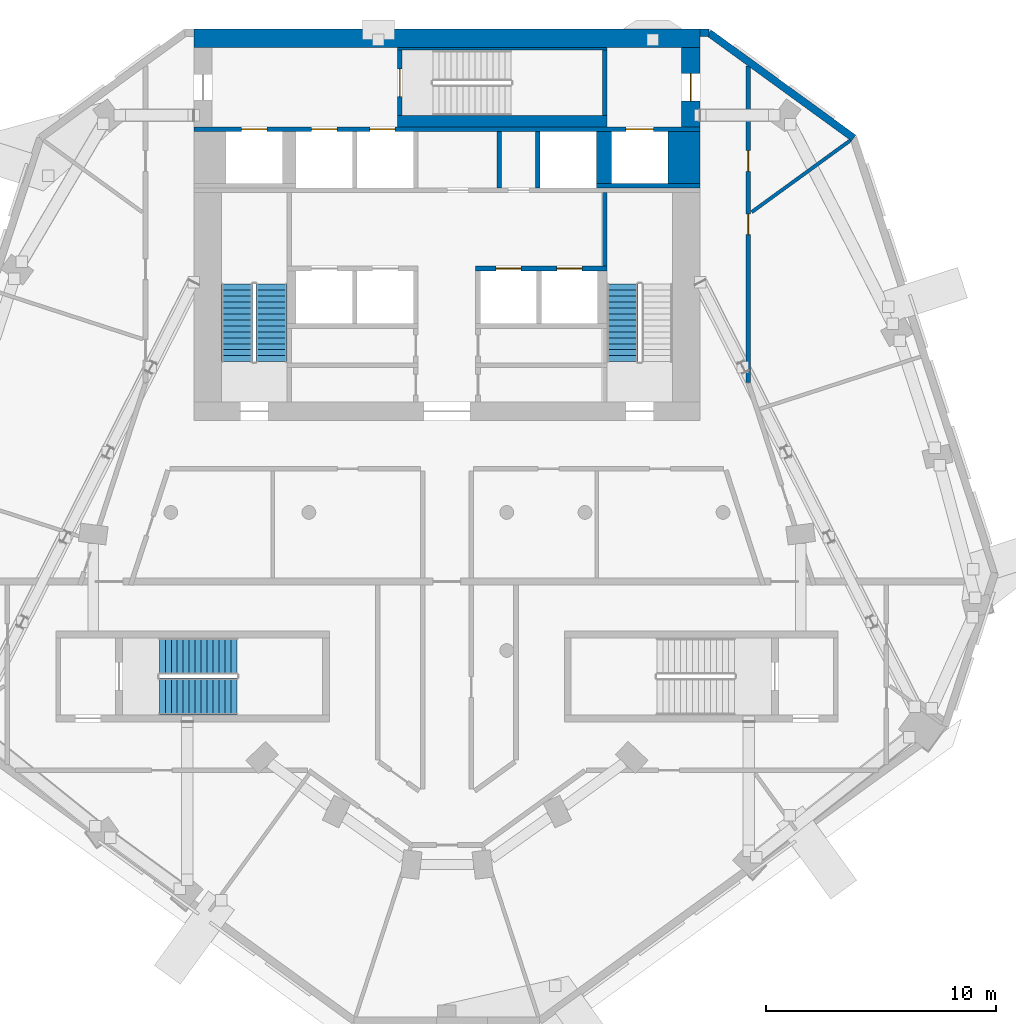
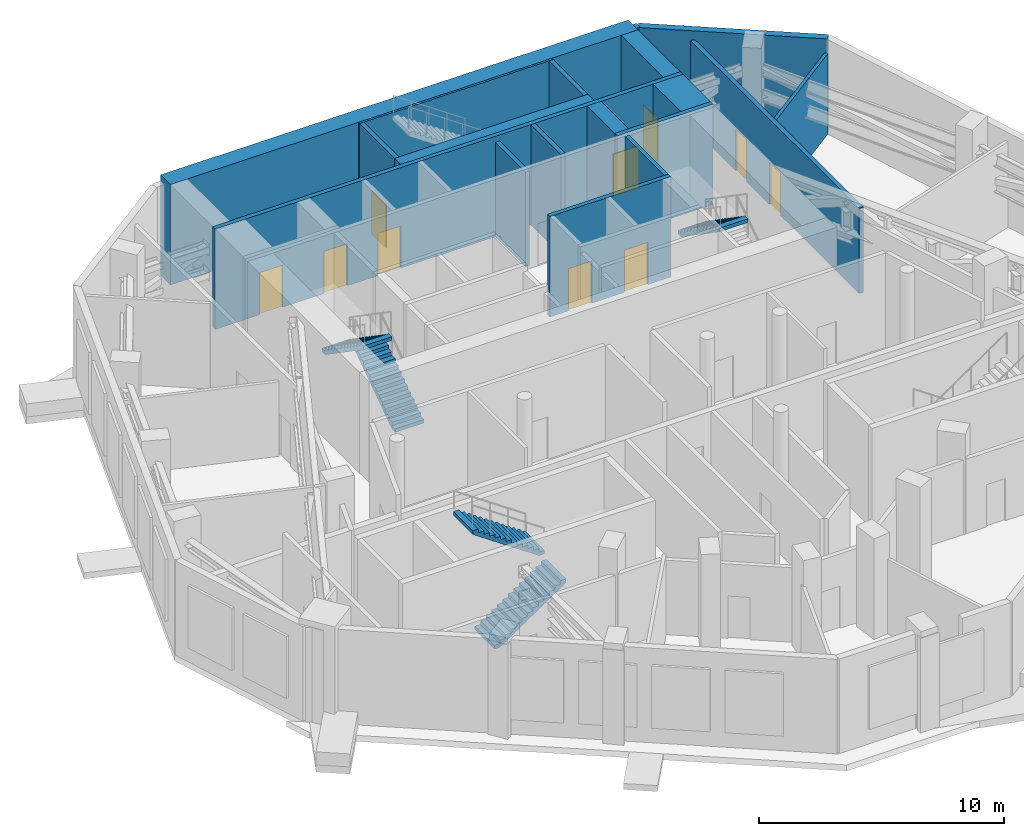
# One storey, part 10 of 16: 18 walls, 10 doors, 5 stair flights, 10 openings, 3 elements without a shape of their own.
"""IFC4 building model written with IfcOpenShell, lengths in metres."""

from ifc_helpers import new_model, si_unit, direction, frame, frame_2d, origin, place, context, subcontext, project, spatial, polyline, rectangle, outline, extrude, material, layer, layer_set, type_object, element, fill, aggregate, save


model = new_model("IFC4")

# Units and contexts
model_context = context("Model", 3, precision=1e-05, world=origin(), true_north=direction((0.0, 1.0)))
body_context = subcontext(model_context, "Body", "Model", "MODEL_VIEW")
ifc_project = project(units=[si_unit("LENGTHUNIT", "METRE"), si_unit("AREAUNIT", "SQUARE_METRE"), si_unit("VOLUMEUNIT", "CUBIC_METRE"), si_unit("PLANEANGLEUNIT", "RADIAN"), si_unit("MASSUNIT", "GRAM", prefix="KILO")], contexts=[model_context])

# Site, building, storey
site_placement = place(None, origin())
site = spatial("IfcSite", under=ifc_project, at=site_placement, CompositionType="ELEMENT")
building_placement = place(site_placement, origin())
building = spatial("IfcBuilding", under=site, at=building_placement, Name="White Candle Pilgrim Tower", CompositionType="ELEMENT")
storey_placement = place(building_placement, frame((0.0, 0.0, 243.300048828125)))
storey = spatial("IfcBuildingStorey", under=building, at=storey_placement, Name="L57", CompositionType="ELEMENT", Elevation=243.300048828125)

# Walls
ifc_material_1 = material(Name="Concrete C50/60", Category="concrete")
ifc_layer_1 = layer(ifc_material_1, 1.39990234375)
ifc_layer_set_1 = layer_set([ifc_layer_1], Name="Core wall 1400 mm Concrete C50/60")
wall_type_1 = type_object("IfcWallType", Name="Core wall 1400 mm Concrete C50/60", PredefinedType="SHEAR", material=ifc_layer_set_1)
wall_1_placement = place(storey_placement, frame((80.300048828125, 81.300048828125, 0.0), z_axis=(0.0, 0.0, 1.0), x_axis=(0.0, 1.0, 0.0)))
element("IfcWall", 1, at=wall_1_placement, inside=storey, type_object=wall_type_1, Name="WL-L57-C46", PredefinedType="SHEAR", context=body_context, shape_type="SweptSolid", body=[
    extrude(rectangle(XDim=2.25, YDim=1.39990234375, at=frame_2d((1.125, 0.0))), origin(), (0.0, 0.0, 1.0), 5.0),
])
ifc_layer_2 = layer(ifc_material_1, 0.199951171875)
ifc_layer_set_2 = layer_set([ifc_layer_2], Name="Core wall 200 mm Concrete C50/60")
wall_type_2 = type_object("IfcWallType", Name="Core wall 200 mm Concrete C50/60", PredefinedType="SHEAR", material=ifc_layer_set_2)
wall_2_placement = place(storey_placement, frame((76.5, 81.199951171875, 0.0), z_axis=(0.0, 0.0, 1.0), x_axis=(1.0, 0.0, 0.0)))
element("IfcWall", 2, at=wall_2_placement, inside=storey, type_object=wall_type_2, Name="WL-L57-C42", PredefinedType="SHEAR", context=body_context, shape_type="SweptSolid", body=[
    extrude(rectangle(XDim=4.5, YDim=0.199951171875, at=frame_2d((2.25, 0.0))), origin(), (0.0, 0.0, 1.0), 5.0),
])

# Wall, openings, doors
wall_3_placement = place(storey_placement, frame((59.0, 83.64990234375, 0.0), z_axis=(0.0, 0.0, 1.0), x_axis=(1.0, 0.0, 0.0)))
wall_3 = element("IfcWall", 3, at=wall_3_placement, inside=storey, type_object=wall_type_2, Name="WL-L57-C47", PredefinedType="SHEAR", context=body_context, shape_type="SweptSolid", body=[
    extrude(rectangle(XDim=22.0, YDim=0.199951171875, at=frame_2d((11.0, 0.0))), origin(), (0.0, 0.0, 1.0), 5.0),
])
opening_1_placement = place(wall_3_placement, frame((5.125, 0.0, 0.0)))
opening_1 = element("IfcOpeningElement", 4, at=opening_1_placement, cuts=wall_3, Name="Opening L57-019", PredefinedType="OPENING", context=body_context, shape_type="SweptSolid", body=[
    extrude(rectangle(XDim=1.10009765625, YDim=2.10009765625, at=frame_2d((0.550048828125, 1.050048828125))), frame((0.0, 0.10986328125, 0.0), z_axis=(0.0, -1.0, 0.0), x_axis=(1.0, 0.0, 0.0)), (0.0, 0.0, 1.0), 0.219970703125),
])
opening_2_placement = place(wall_3_placement, frame((7.64990234375, 0.0, 0.0)))
opening_2 = element("IfcOpeningElement", 5, at=opening_2_placement, cuts=wall_3, Name="Opening L57-020", PredefinedType="OPENING", context=body_context, shape_type="SweptSolid", body=[
    extrude(rectangle(XDim=1.10009765625, YDim=2.10009765625, at=frame_2d((0.550048828125, 1.050048828125))), frame((0.0, 0.10986328125, 0.0), z_axis=(0.0, -1.0, 0.0), x_axis=(1.0, 0.0, 0.0)), (0.0, 0.0, 1.0), 0.219970703125),
])
opening_3_placement = place(wall_3_placement, frame((18.77490234375, 0.0, 0.0)))
opening_3 = element("IfcOpeningElement", 6, at=opening_3_placement, cuts=wall_3, Name="Opening L57-021", PredefinedType="OPENING", context=body_context, shape_type="SweptSolid", body=[
    extrude(rectangle(XDim=1.199951171875, YDim=2.10009765625, at=frame_2d((0.60009765625, 1.050048828125))), frame((0.0, 0.10986328125, 0.0), z_axis=(0.0, -1.0, 0.0), x_axis=(1.0, 0.0, 0.0)), (0.0, 0.0, 1.0), 0.219970703125),
])
opening_4_placement = place(wall_3_placement, frame((2.074951171875, 0.0, 0.0)))
opening_4 = element("IfcOpeningElement", 7, at=opening_4_placement, cuts=wall_3, Name="Opening L57-022", PredefinedType="OPENING", context=body_context, shape_type="SweptSolid", body=[
    extrude(rectangle(XDim=1.10009765625, YDim=2.10009765625, at=frame_2d((0.550048828125, 1.050048828125))), frame((0.0, 0.10986328125, 0.0), z_axis=(0.0, -1.0, 0.0), x_axis=(1.0, 0.0, 0.0)), (0.0, 0.0, 1.0), 0.219970703125),
])
ifc_material_2 = material(Name="Stainless steel", Category="steel")
door_type_1 = type_object("IfcDoorType", Name="Lift landing door 1100 x 2100 EI 60", OperationType="DOUBLE_DOOR_SLIDING", PredefinedType="DOOR", material=ifc_material_2)
door_1_placement = place(opening_1_placement, origin())
door_1 = element("IfcDoor", 8, at=door_1_placement, inside=storey, type_object=door_type_1, Name="Door L57-019", OperationType="DOUBLE_DOOR_SLIDING", OverallHeight=2.10009765625, OverallWidth=1.10009765625, PredefinedType="DOOR", context=body_context, shape_type="SweptSolid", body=[
    extrude(rectangle(XDim=1.10009765625, YDim=2.10009765625, at=frame_2d((0.550048828125, 1.050048828125))), frame((0.0, 0.02490234375, 0.0), z_axis=(0.0, -1.0, 0.0), x_axis=(1.0, 0.0, 0.0)), (0.0, 0.0, 1.0), 0.050048828125),
])
fill(opening_1, door_1)
door_2_placement = place(opening_2_placement, origin())
door_2 = element("IfcDoor", 9, at=door_2_placement, inside=storey, type_object=door_type_1, Name="Door L57-020", OperationType="DOUBLE_DOOR_SLIDING", OverallHeight=2.10009765625, OverallWidth=1.10009765625, PredefinedType="DOOR", context=body_context, shape_type="SweptSolid", body=[
    extrude(rectangle(XDim=1.10009765625, YDim=2.10009765625, at=frame_2d((0.550048828125, 1.050048828125))), frame((0.0, 0.02490234375, 0.0), z_axis=(0.0, -1.0, 0.0), x_axis=(1.0, 0.0, 0.0)), (0.0, 0.0, 1.0), 0.050048828125),
])
fill(opening_2, door_2)
door_3_placement = place(opening_4_placement, origin())
door_3 = element("IfcDoor", 10, at=door_3_placement, inside=storey, type_object=door_type_1, Name="Door L57-022", OperationType="DOUBLE_DOOR_SLIDING", OverallHeight=2.10009765625, OverallWidth=1.10009765625, PredefinedType="DOOR", context=body_context, shape_type="SweptSolid", body=[
    extrude(rectangle(XDim=1.10009765625, YDim=2.10009765625, at=frame_2d((0.550048828125, 1.050048828125))), frame((0.0, 0.02490234375, 0.0), z_axis=(0.0, -1.0, 0.0), x_axis=(1.0, 0.0, 0.0)), (0.0, 0.0, 1.0), 0.050048828125),
])
fill(opening_4, door_3)
door_type_2 = type_object("IfcDoorType", Name="Lift landing door 1200 x 2100 E 60", OperationType="DOUBLE_DOOR_SLIDING", PredefinedType="DOOR", material=ifc_material_2)
door_4_placement = place(opening_3_placement, origin())
door_4 = element("IfcDoor", 11, at=door_4_placement, inside=storey, type_object=door_type_2, Name="Door L57-021", OperationType="DOUBLE_DOOR_SLIDING", OverallHeight=2.10009765625, OverallWidth=1.199951171875, PredefinedType="DOOR", context=body_context, shape_type="SweptSolid", body=[
    extrude(rectangle(XDim=1.199951171875, YDim=2.10009765625, at=frame_2d((0.60009765625, 1.050048828125))), frame((0.0, 0.02490234375, 0.0), z_axis=(0.0, -1.0, 0.0), x_axis=(1.0, 0.0, 0.0)), (0.0, 0.0, 1.0), 0.050048828125),
])
fill(opening_3, door_4)

# Wall, opening, door
ifc_layer_3 = layer(ifc_material_1, 0.800048828125)
ifc_layer_set_3 = layer_set([ifc_layer_3], Name="Core wall 800 mm Concrete C50/60")
wall_type_3 = type_object("IfcWallType", Name="Core wall 800 mm Concrete C50/60", PredefinedType="SHEAR", material=ifc_layer_set_3)
wall_4_placement = place(storey_placement, frame((80.60009765625, 83.75, 0.0), z_axis=(0.0, 0.0, 1.0), x_axis=(0.0, 1.0, 0.0)))
wall_4 = element("IfcWall", 12, at=wall_4_placement, inside=storey, type_object=wall_type_3, Name="WL-L57-C50", PredefinedType="SHEAR", context=body_context, shape_type="SweptSolid", body=[
    extrude(rectangle(XDim=3.449951171875, YDim=0.800048828125, at=frame_2d((1.72509765625, 0.0))), origin(), (0.0, 0.0, 1.0), 5.0),
])
opening_5_placement = place(wall_4_placement, frame((1.125, 0.0, 0.0)))
opening_5 = element("IfcOpeningElement", 13, at=opening_5_placement, cuts=wall_4, Name="Opening L57-010", PredefinedType="OPENING", context=body_context, shape_type="SweptSolid", body=[
    extrude(rectangle(XDim=1.199951171875, YDim=2.10009765625, at=frame_2d((0.60009765625, 1.050048828125))), frame((0.0, 0.409912109375, 0.0), z_axis=(0.0, -1.0, 0.0), x_axis=(1.0, 0.0, 0.0)), (0.0, 0.0, 1.0), 0.820068359375),
])
ifc_material_3 = material(Name="Steel door leaf", Category="steel")
door_type_3 = type_object("IfcDoorType", Name="Fire door 1200 x 2100 EI 30", OperationType="NOTDEFINED", PredefinedType="DOOR", material=ifc_material_3)
door_5_placement = place(opening_5_placement, origin())
door_5 = element("IfcDoor", 14, at=door_5_placement, inside=storey, type_object=door_type_3, Name="Door L57-010", OperationType="SINGLE_SWING_RIGHT", OverallHeight=2.10009765625, OverallWidth=1.199951171875, PredefinedType="DOOR", context=body_context, shape_type="SweptSolid", body=[
    extrude(rectangle(XDim=1.199951171875, YDim=2.10009765625, at=frame_2d((0.60009765625, 1.050048828125))), frame((0.0, 0.02490234375, 0.0), z_axis=(0.0, -1.0, 0.0), x_axis=(1.0, 0.0, 0.0)), (0.0, 0.0, 1.0), 0.050048828125),
])
fill(opening_5, door_5)

# Wall
wall_5_placement = place(storey_placement, frame((59.0, 87.60009765625, 0.0), z_axis=(0.0, 0.0, 1.0), x_axis=(1.0, 0.0, 0.0)))
element("IfcWall", 15, at=wall_5_placement, inside=storey, type_object=wall_type_3, Name="WL-L57-C54", PredefinedType="SHEAR", context=body_context, shape_type="SweptSolid", body=[
    extrude(rectangle(XDim=22.0, YDim=0.800048828125, at=frame_2d((11.0, 0.0))), origin(), (0.0, 0.0, 1.0), 5.0),
])

# Wall, openings, doors
ifc_material_4 = material(Name="Gypsum board on steel studs", Category="steel")
ifc_layer_4 = layer(ifc_material_4, 0.199951171875)
ifc_layer_set_4 = layer_set([ifc_layer_4], Name="Corridor wall 200 mm EI 45")
wall_type_4 = type_object("IfcWallType", Name="Corridor wall 200 mm EI 45", PredefinedType="PARTITIONING", material=ifc_layer_set_4)
wall_6_placement = place(storey_placement, frame((83.10009765625, 86.396240234375, 0.0), z_axis=(0.0, 0.0, 1.0), x_axis=(0.0, -1.0, 0.0)))
wall_6 = element("IfcWall", 16, at=wall_6_placement, inside=storey, type_object=wall_type_4, Name="WL-L57-P004", PredefinedType="PARTITIONING", context=body_context, shape_type="SweptSolid", body=[
    extrude(rectangle(XDim=13.75537109375, YDim=0.199951171875, at=frame_2d((6.877685546875, 0.0))), origin(), (0.0, 0.0, 1.0), 4.25),
])
opening_6_placement = place(wall_6_placement, frame((3.676513671875, 0.0, 0.0)))
opening_6 = element("IfcOpeningElement", 17, at=opening_6_placement, cuts=wall_6, Name="Opening L57-115", PredefinedType="OPENING", context=body_context, shape_type="SweptSolid", body=[
    extrude(rectangle(XDim=0.89990234375, YDim=2.10009765625, at=frame_2d((0.449951171875, 1.050048828125))), frame((0.0, 0.10986328125, 0.0), z_axis=(0.0, -1.0, 0.0), x_axis=(1.0, 0.0, 0.0)), (0.0, 0.0, 1.0), 0.219970703125),
])
opening_7_placement = place(wall_6_placement, frame((6.427490234375, 0.0, 0.0)))
opening_7 = element("IfcOpeningElement", 18, at=opening_7_placement, cuts=wall_6, Name="Opening L57-116", PredefinedType="OPENING", context=body_context, shape_type="SweptSolid", body=[
    extrude(rectangle(XDim=0.89990234375, YDim=2.10009765625, at=frame_2d((0.449951171875, 1.050048828125))), frame((0.0, 0.10986328125, 0.0), z_axis=(0.0, -1.0, 0.0), x_axis=(1.0, 0.0, 0.0)), (0.0, 0.0, 1.0), 0.219970703125),
])
door_type_4 = type_object("IfcDoorType", Name="Fire door 900 x 2100 EI 30", OperationType="NOTDEFINED", PredefinedType="DOOR", material=ifc_material_3)
door_6_placement = place(opening_6_placement, origin())
door_6 = element("IfcDoor", 19, at=door_6_placement, inside=storey, type_object=door_type_4, Name="Door L57-115", OperationType="SINGLE_SWING_LEFT", OverallHeight=2.10009765625, OverallWidth=0.89990234375, PredefinedType="DOOR", context=body_context, shape_type="SweptSolid", body=[
    extrude(rectangle(XDim=0.89990234375, YDim=2.10009765625, at=frame_2d((0.449951171875, 1.050048828125))), frame((0.0, 0.02490234375, 0.0), z_axis=(0.0, -1.0, 0.0), x_axis=(1.0, 0.0, 0.0)), (0.0, 0.0, 1.0), 0.050048828125),
])
fill(opening_6, door_6)
door_7_placement = place(opening_7_placement, origin())
door_7 = element("IfcDoor", 20, at=door_7_placement, inside=storey, type_object=door_type_4, Name="Door L57-116", OperationType="SINGLE_SWING_RIGHT", OverallHeight=2.10009765625, OverallWidth=0.89990234375, PredefinedType="DOOR", context=body_context, shape_type="SweptSolid", body=[
    extrude(rectangle(XDim=0.89990234375, YDim=2.10009765625, at=frame_2d((0.449951171875, 1.050048828125))), frame((0.0, 0.02490234375, 0.0), z_axis=(0.0, -1.0, 0.0), x_axis=(1.0, 0.0, 0.0)), (0.0, 0.0, 1.0), 0.050048828125),
])
fill(opening_7, door_7)

# Walls
ifc_material_5 = material(Name="Precast concrete C40/50", Category="concrete")
ifc_layer_5 = layer(ifc_material_5, 0.320068359375)
ifc_layer_set_5 = layer_set([ifc_layer_5], Name="Facade wall EW2 precast concrete C40/50 plant wall behind louvres")
wall_type_5 = type_object("IfcWallType", Name="Facade wall EW2 precast concrete C40/50 plant wall behind louvres", PredefinedType="SOLIDWALL", material=ifc_layer_set_5)
wall_7_placement = place(storey_placement, frame((87.67431640625, 83.270751953125, 0.0), z_axis=(0.0, 0.0, 1.0), x_axis=(-0.809023894763, 0.587775754605, 0.0)))
element("IfcWall", 21, at=wall_7_placement, inside=storey, type_object=wall_type_5, Name="Facade wall L57 NE chamfer", PredefinedType="SOLIDWALL", context=body_context, shape_type="SweptSolid", body=[
    extrude(rectangle(XDim=7.77392578125, YDim=0.320068359375, at=frame_2d((3.886962890625, 0.0))), origin(), (0.0, 0.0, 1.0), 4.699951171875),
])
wall_8_placement = place(storey_placement, frame((81.385009765625, 87.840087890625, 0.0), z_axis=(0.0, 0.0, 1.0), x_axis=(-1.0, 0.0, 0.0)))
element("IfcWall", 22, at=wall_8_placement, inside=storey, type_object=wall_type_5, Name="Facade wall L57 N", PredefinedType="SOLIDWALL", context=body_context, shape_type="SweptSolid", body=[
    extrude(rectangle(XDim=0.385009765625, YDim=0.320068359375, at=frame_2d((0.1923828125, 0.0))), origin(), (0.0, 0.0, 1.0), 4.699951171875),
])
ifc_layer_6 = layer(ifc_material_4, 0.199951171875)
ifc_layer_set_6 = layer_set([ifc_layer_6], Name="Lobby wall 200 mm EI 60")
wall_type_6 = type_object("IfcWallType", Name="Lobby wall 200 mm EI 60", PredefinedType="PARTITIONING", material=ifc_layer_set_6)
wall_9_placement = place(storey_placement, frame((72.280029296875, 81.10009765625, 0.0), z_axis=(0.0, 0.0, 1.0), x_axis=(0.0, 1.0, 0.0)))
element("IfcWall", 23, at=wall_9_placement, inside=storey, type_object=wall_type_6, Name="WL-L57-C40", PredefinedType="PARTITIONING", context=body_context, shape_type="SweptSolid", body=[
    extrude(rectangle(XDim=2.449951171875, YDim=0.199951171875, at=frame_2d((1.22509765625, 0.0))), origin(), (0.0, 0.0, 1.0), 4.699951171875),
])
ifc_layer_7 = layer(ifc_material_4, 0.14990234375)
ifc_layer_set_7 = layer_set([ifc_layer_7], Name="Partition 150 mm EI 60")
wall_type_7 = type_object("IfcWallType", Name="Partition 150 mm EI 60", PredefinedType="PARTITIONING", material=ifc_layer_set_7)
wall_10_placement = place(storey_placement, frame((87.5380859375, 83.171875, 0.0), z_axis=(0.0, 0.0, 1.0), x_axis=(-0.80900452613, -0.587802412976, 0.0)))
element("IfcWall", 24, at=wall_10_placement, inside=storey, type_object=wall_type_7, Name="WL-L57-P030", PredefinedType="PARTITIONING", context=body_context, shape_type="SweptSolid", body=[
    extrude(rectangle(XDim=5.3076171875, YDim=0.14990234375, at=frame_2d((2.65380859375, 0.0))), origin(), (0.0, 0.0, 1.0), 4.0),
])
ifc_layer_8 = layer(ifc_material_1, 0.199951171875)
ifc_layer_set_8 = layer_set([ifc_layer_8], Name="Shaft wall 200 mm Concrete C50/60")
wall_type_8 = type_object("IfcWallType", Name="Shaft wall 200 mm Concrete C50/60", PredefinedType="SHEAR", material=ifc_layer_set_8)
wall_11_placement = place(storey_placement, frame((73.949951171875, 81.10009765625, 0.0), z_axis=(0.0, 0.0, 1.0), x_axis=(0.0, 1.0, 0.0)))
element("IfcWall", 25, at=wall_11_placement, inside=storey, type_object=wall_type_8, Name="WL-L57-C41", PredefinedType="SHEAR", context=body_context, shape_type="SweptSolid", body=[
    extrude(rectangle(XDim=2.449951171875, YDim=0.199951171875, at=frame_2d((1.22509765625, 0.0))), origin(), (0.0, 0.0, 1.0), 5.0),
])
ifc_layer_9 = layer(ifc_material_1, 0.64990234375)
ifc_layer_set_9 = layer_set([ifc_layer_9], Name="Shaft wall 650 mm Concrete C50/60")
wall_type_9 = type_object("IfcWallType", Name="Shaft wall 650 mm Concrete C50/60", PredefinedType="SHEAR", material=ifc_layer_set_9)
wall_12_placement = place(storey_placement, frame((76.824951171875, 81.300048828125, 0.0), z_axis=(0.0, 0.0, 1.0), x_axis=(0.0, 1.0, 0.0)))
element("IfcWall", 26, at=wall_12_placement, inside=storey, type_object=wall_type_9, Name="WL-L57-C45", PredefinedType="SHEAR", context=body_context, shape_type="SweptSolid", body=[
    extrude(rectangle(XDim=2.25, YDim=0.64990234375, at=frame_2d((1.125, 0.0))), origin(), (0.0, 0.0, 1.0), 5.0),
])
ifc_layer_10 = layer(ifc_material_1, 0.10009765625)
ifc_layer_set_10 = layer_set([ifc_layer_10], Name="Stair shaft wall 100 mm Concrete C50/60")
wall_type_10 = type_object("IfcWallType", Name="Stair shaft wall 100 mm Concrete C50/60", PredefinedType="SHEAR", material=ifc_layer_set_10)
wall_13_placement = place(storey_placement, frame((67.85009765625, 87.14990234375, 0.0), z_axis=(0.0, 0.0, 1.0), x_axis=(1.0, 0.0, 0.0)))
element("IfcWall", 27, at=wall_13_placement, inside=storey, type_object=wall_type_10, Name="WL-L57-C53", PredefinedType="SHEAR", context=body_context, shape_type="SweptSolid", body=[
    extrude(rectangle(XDim=9.099853515625, YDim=0.10009765625, at=frame_2d((4.5498046875, 0.0))), origin(), (0.0, 0.0, 1.0), 5.0),
])

# Wall, openings, doors
ifc_layer_11 = layer(ifc_material_1, 0.199951171875)
ifc_layer_set_11 = layer_set([ifc_layer_11], Name="Stair shaft wall 200 mm Concrete C50/60")
wall_type_11 = type_object("IfcWallType", Name="Stair shaft wall 200 mm Concrete C50/60", PredefinedType="SHEAR", material=ifc_layer_set_11)
wall_14_placement = place(storey_placement, frame((71.25, 77.60009765625, 0.0), z_axis=(0.0, 0.0, 1.0), x_axis=(1.0, 0.0, 0.0)))
wall_14 = element("IfcWall", 28, at=wall_14_placement, inside=storey, type_object=wall_type_11, Name="WL-L57-C33", PredefinedType="SHEAR", context=body_context, shape_type="SweptSolid", body=[
    extrude(rectangle(XDim=5.699951171875, YDim=0.199951171875, at=frame_2d((2.85009765625, 0.0))), origin(), (0.0, 0.0, 1.0), 5.0),
])
opening_8_placement = place(wall_14_placement, frame((0.875, 0.0, 0.0)))
opening_8 = element("IfcOpeningElement", 29, at=opening_8_placement, cuts=wall_14, Name="Opening L57-017", PredefinedType="OPENING", context=body_context, shape_type="SweptSolid", body=[
    extrude(rectangle(XDim=1.10009765625, YDim=2.10009765625, at=frame_2d((0.550048828125, 1.050048828125))), frame((0.0, 0.10986328125, 0.0), z_axis=(0.0, -1.0, 0.0), x_axis=(1.0, 0.0, 0.0)), (0.0, 0.0, 1.0), 0.219970703125),
])
opening_9_placement = place(wall_14_placement, frame((3.52490234375, 0.0, 0.0)))
opening_9 = element("IfcOpeningElement", 30, at=opening_9_placement, cuts=wall_14, Name="Opening L57-018", PredefinedType="OPENING", context=body_context, shape_type="SweptSolid", body=[
    extrude(rectangle(XDim=1.10009765625, YDim=2.10009765625, at=frame_2d((0.550048828125, 1.050048828125))), frame((0.0, 0.10986328125, 0.0), z_axis=(0.0, -1.0, 0.0), x_axis=(1.0, 0.0, 0.0)), (0.0, 0.0, 1.0), 0.219970703125),
])
door_type_5 = type_object("IfcDoorType", Name="Lift landing door 1100 x 2100 E 60", OperationType="DOUBLE_DOOR_SLIDING", PredefinedType="DOOR", material=ifc_material_2)
door_8_placement = place(opening_8_placement, origin())
door_8 = element("IfcDoor", 31, at=door_8_placement, inside=storey, type_object=door_type_5, Name="Door L57-017", OperationType="DOUBLE_DOOR_SLIDING", OverallHeight=2.10009765625, OverallWidth=1.10009765625, PredefinedType="DOOR", context=body_context, shape_type="SweptSolid", body=[
    extrude(rectangle(XDim=1.10009765625, YDim=2.10009765625, at=frame_2d((0.550048828125, 1.050048828125))), frame((0.0, 0.02490234375, 0.0), z_axis=(0.0, -1.0, 0.0), x_axis=(1.0, 0.0, 0.0)), (0.0, 0.0, 1.0), 0.050048828125),
])
fill(opening_8, door_8)
door_9_placement = place(opening_9_placement, origin())
door_9 = element("IfcDoor", 32, at=door_9_placement, inside=storey, type_object=door_type_5, Name="Door L57-018", OperationType="DOUBLE_DOOR_SLIDING", OverallHeight=2.10009765625, OverallWidth=1.10009765625, PredefinedType="DOOR", context=body_context, shape_type="SweptSolid", body=[
    extrude(rectangle(XDim=1.10009765625, YDim=2.10009765625, at=frame_2d((0.550048828125, 1.050048828125))), frame((0.0, 0.02490234375, 0.0), z_axis=(0.0, -1.0, 0.0), x_axis=(1.0, 0.0, 0.0)), (0.0, 0.0, 1.0), 0.050048828125),
])
fill(opening_9, door_9)

# Wall
wall_15_placement = place(storey_placement, frame((76.85009765625, 77.699951171875, 0.0), z_axis=(0.0, 0.0, 1.0), x_axis=(0.0, 1.0, 0.0)))
element("IfcWall", 33, at=wall_15_placement, inside=storey, type_object=wall_type_11, Name="WL-L57-C35", PredefinedType="SHEAR", context=body_context, shape_type="SweptSolid", body=[
    extrude(rectangle(XDim=3.199951171875, YDim=0.199951171875, at=frame_2d((1.60009765625, 0.0))), origin(), (0.0, 0.0, 1.0), 5.0),
])

# Wall, opening, door
wall_16_placement = place(storey_placement, frame((67.949951171875, 84.25, 0.0), z_axis=(0.0, 0.0, 1.0), x_axis=(0.0, 1.0, 0.0)))
wall_16 = element("IfcWall", 34, at=wall_16_placement, inside=storey, type_object=wall_type_11, Name="WL-L57-C51", PredefinedType="SHEAR", context=body_context, shape_type="SweptSolid", body=[
    extrude(rectangle(XDim=2.85009765625, YDim=0.199951171875, at=frame_2d((1.425048828125, 0.0))), origin(), (0.0, 0.0, 1.0), 5.0),
])
opening_10_placement = place(wall_16_placement, frame((0.824951171875, 0.0, 0.0)))
opening_10 = element("IfcOpeningElement", 35, at=opening_10_placement, cuts=wall_16, Name="Opening L57-003", PredefinedType="OPENING", context=body_context, shape_type="SweptSolid", body=[
    extrude(rectangle(XDim=1.199951171875, YDim=2.10009765625, at=frame_2d((0.60009765625, 1.050048828125))), frame((0.0, 0.10986328125, 0.0), z_axis=(0.0, -1.0, 0.0), x_axis=(1.0, 0.0, 0.0)), (0.0, 0.0, 1.0), 0.219970703125),
])
door_type_6 = type_object("IfcDoorType", Name="Fire door 1200 x 2100 EI 60", OperationType="NOTDEFINED", PredefinedType="DOOR", material=ifc_material_3)
door_10_placement = place(opening_10_placement, frame((1.199951171875, 0.0, 0.0), z_axis=(0.0, 0.0, 1.0), x_axis=(-1.0, 0.0, 0.0)))
door_10 = element("IfcDoor", 36, at=door_10_placement, inside=storey, type_object=door_type_6, Name="Door L57-003", OperationType="SINGLE_SWING_RIGHT", OverallHeight=2.10009765625, OverallWidth=1.199951171875, PredefinedType="DOOR", context=body_context, shape_type="SweptSolid", body=[
    extrude(rectangle(XDim=1.199951171875, YDim=2.10009765625, at=frame_2d((0.60009765625, 1.050048828125))), frame((0.0, 0.02490234375, 0.0), z_axis=(0.0, -1.0, 0.0), x_axis=(1.0, 0.0, 0.0)), (0.0, 0.0, 1.0), 0.050048828125),
])
fill(opening_10, door_10)

# Walls
wall_17_placement = place(storey_placement, frame((76.85009765625, 84.25, 0.0), z_axis=(0.0, 0.0, 1.0), x_axis=(0.0, 1.0, 0.0)))
element("IfcWall", 37, at=wall_17_placement, inside=storey, type_object=wall_type_11, Name="WL-L57-C52", PredefinedType="SHEAR", context=body_context, shape_type="SweptSolid", body=[
    extrude(rectangle(XDim=2.85009765625, YDim=0.199951171875, at=frame_2d((1.425048828125, 0.0))), origin(), (0.0, 0.0, 1.0), 5.0),
])
ifc_layer_12 = layer(ifc_material_1, 0.5)
ifc_layer_set_12 = layer_set([ifc_layer_12], Name="Stair shaft wall 500 mm Concrete C50/60")
wall_type_12 = type_object("IfcWallType", Name="Stair shaft wall 500 mm Concrete C50/60", PredefinedType="SHEAR", material=ifc_layer_set_12)
wall_18_placement = place(storey_placement, frame((67.85009765625, 84.0, 0.0), z_axis=(0.0, 0.0, 1.0), x_axis=(1.0, 0.0, 0.0)))
element("IfcWall", 38, at=wall_18_placement, inside=storey, type_object=wall_type_12, Name="WL-L57-C49", PredefinedType="SHEAR", context=body_context, shape_type="SweptSolid", body=[
    extrude(rectangle(XDim=9.099853515625, YDim=0.5, at=frame_2d((4.5498046875, 0.0))), origin(), (0.0, 0.0, 1.0), 5.0),
])

# Stair, stair flights
ifc_material_6 = material(Name="Concrete C40/50", Category="concrete")
stair_type_1 = type_object("IfcStairType", Name="Exit stair 1 flight width 1350 mm", PredefinedType="HALF_TURN_STAIR", material=ifc_material_6)
stair_1_placement = place(storey_placement, origin())
stair_1 = element("IfcStair", 39, at=stair_1_placement, inside=storey, type_object=stair_type_1, Name="L57 stair 1", PredefinedType="NOTDEFINED")
ifc_layer_13 = layer(ifc_material_6, 0.14990234375)
ifc_layer_set_13 = layer_set([ifc_layer_13], Name="Stair flight Concrete C40/50")
stair_flight_type = type_object("IfcStairFlightType", Name="Stair flight Concrete C40/50", PredefinedType="STRAIGHT", material=ifc_layer_set_13)
stair_flight_1_placement = place(storey_placement, frame((62.375, 73.550048828125, 0.0), z_axis=(0.0, 0.0, 1.0), x_axis=(0.0, 1.0, 0.0)))
stair_flight_1 = element("IfcStairFlight", 40, at=stair_flight_1_placement, type_object=stair_flight_type, Name="ST1 flight 1", NumberOfRisers=14, NumberOfTreads=13, PredefinedType="NOTDEFINED", RiserHeight=0.178571429, TreadLength=0.26, context=body_context, shape_type="SweptSolid", body=[
    extrude(outline(polyline([(0.0, 0.0), (0.0, 0.178466796875), (0.260009765625, 0.178466796875), (0.260009765625, 0.357177734375), (0.52001953125, 0.357177734375), (0.52001953125, 0.53564453125), (0.780029296875, 0.53564453125), (0.780029296875, 0.71435546875), (1.0400390625, 0.71435546875), (1.0400390625, 0.892822265625), (1.300048828125, 0.892822265625), (1.300048828125, 1.071533203125), (1.56005859375, 1.071533203125), (1.56005859375, 1.25), (1.820068359375, 1.25), (1.820068359375, 1.428466796875), (2.080078125, 1.428466796875), (2.080078125, 1.607177734375), (2.340087890625, 1.607177734375), (2.340087890625, 1.78564453125), (2.60009765625, 1.78564453125), (2.60009765625, 1.96435546875), (2.860107421875, 1.96435546875), (2.860107421875, 2.142822265625), (3.1201171875, 2.142822265625), (3.1201171875, 2.321533203125), (3.3798828125, 2.321533203125), (3.3798828125, 2.5), (3.3798828125, 2.1396484375), (0.264892578125, 0.0), (0.0, 0.0)])), frame((0.0, 0.675048828125, 0.0), z_axis=(0.0, -1.0, 0.0), x_axis=(1.0, 0.0, 0.0)), (0.0, 0.0, 1.0), 1.35009765625),
])
stair_flight_2_placement = place(storey_placement, frame((60.875, 76.929931640625, 2.5), z_axis=(0.0, 0.0, 1.0), x_axis=(0.0, -1.0, 0.0)))
stair_flight_2 = element("IfcStairFlight", 41, at=stair_flight_2_placement, type_object=stair_flight_type, Name="ST1 flight 2", NumberOfRisers=14, NumberOfTreads=13, PredefinedType="NOTDEFINED", RiserHeight=0.178571429, TreadLength=0.26, context=body_context, shape_type="SweptSolid", body=[
    extrude(outline(polyline([(0.0, 0.0), (0.0, 0.178466796875), (0.260009765625, 0.178466796875), (0.260009765625, 0.357177734375), (0.52001953125, 0.357177734375), (0.52001953125, 0.53564453125), (0.780029296875, 0.53564453125), (0.780029296875, 0.71435546875), (1.0400390625, 0.71435546875), (1.0400390625, 0.892822265625), (1.300048828125, 0.892822265625), (1.300048828125, 1.071533203125), (1.56005859375, 1.071533203125), (1.56005859375, 1.25), (1.820068359375, 1.25), (1.820068359375, 1.428466796875), (2.080078125, 1.428466796875), (2.080078125, 1.607177734375), (2.340087890625, 1.607177734375), (2.340087890625, 1.78564453125), (2.60009765625, 1.78564453125), (2.60009765625, 1.96435546875), (2.860107421875, 1.96435546875), (2.860107421875, 2.142822265625), (3.1201171875, 2.142822265625), (3.1201171875, 2.321533203125), (3.3798828125, 2.321533203125), (3.3798828125, 2.5), (3.3798828125, 2.1396484375), (0.264892578125, 0.0), (0.0, 0.0)])), frame((0.0, 0.675048828125, 0.0), z_axis=(0.0, -1.0, 0.0), x_axis=(1.0, 0.0, 0.0)), (0.0, 0.0, 1.0), 1.35009765625),
])
aggregate(stair_1, [stair_flight_1, stair_flight_2])

# Stair, stair flight
stair_type_2 = type_object("IfcStairType", Name="Exit stair 2 flight width 1350 mm", PredefinedType="HALF_TURN_STAIR", material=ifc_material_6)
stair_2_placement = place(storey_placement, origin())
stair_2 = element("IfcStair", 42, at=stair_2_placement, inside=storey, type_object=stair_type_2, Name="L57 stair 2", PredefinedType="NOTDEFINED")
stair_flight_3_placement = place(storey_placement, frame((77.625, 76.929931640625, 2.5), z_axis=(0.0, 0.0, 1.0), x_axis=(0.0, -1.0, 0.0)))
stair_flight_3 = element("IfcStairFlight", 43, at=stair_flight_3_placement, type_object=stair_flight_type, Name="ST2 flight 2", NumberOfRisers=14, NumberOfTreads=13, PredefinedType="NOTDEFINED", RiserHeight=0.178571429, TreadLength=0.26, context=body_context, shape_type="SweptSolid", body=[
    extrude(outline(polyline([(0.0, 0.0), (0.0, 0.178466796875), (0.260009765625, 0.178466796875), (0.260009765625, 0.357177734375), (0.52001953125, 0.357177734375), (0.52001953125, 0.53564453125), (0.780029296875, 0.53564453125), (0.780029296875, 0.71435546875), (1.0400390625, 0.71435546875), (1.0400390625, 0.892822265625), (1.300048828125, 0.892822265625), (1.300048828125, 1.071533203125), (1.56005859375, 1.071533203125), (1.56005859375, 1.25), (1.820068359375, 1.25), (1.820068359375, 1.428466796875), (2.080078125, 1.428466796875), (2.080078125, 1.607177734375), (2.340087890625, 1.607177734375), (2.340087890625, 1.78564453125), (2.60009765625, 1.78564453125), (2.60009765625, 1.96435546875), (2.860107421875, 1.96435546875), (2.860107421875, 2.142822265625), (3.1201171875, 2.142822265625), (3.1201171875, 2.321533203125), (3.3798828125, 2.321533203125), (3.3798828125, 2.5), (3.3798828125, 2.1396484375), (0.264892578125, 0.0), (0.0, 0.0)])), frame((0.0, 0.675048828125, 0.0), z_axis=(0.0, -1.0, 0.0), x_axis=(1.0, 0.0, 0.0)), (0.0, 0.0, 1.0), 1.35009765625),
])
aggregate(stair_2, [stair_flight_3])

# Stair, stair flights
stair_type_3 = type_object("IfcStairType", Name="Exit stair 5 flight width 1600 mm", PredefinedType="HALF_TURN_STAIR", material=ifc_material_6)
stair_3_placement = place(storey_placement, origin())
stair_3 = element("IfcStair", 44, at=stair_3_placement, inside=storey, type_object=stair_type_3, Name="L57 stair 5", PredefinedType="NOTDEFINED")
stair_flight_4_placement = place(storey_placement, frame((57.5, 59.0, 0.0), z_axis=(0.0, 0.0, 1.0), x_axis=(1.0, 0.0, 0.0)))
stair_flight_4 = element("IfcStairFlight", 45, at=stair_flight_4_placement, type_object=stair_flight_type, Name="ST5 flight 1", NumberOfRisers=14, NumberOfTreads=13, PredefinedType="NOTDEFINED", RiserHeight=0.178571429, TreadLength=0.26, context=body_context, shape_type="SweptSolid", body=[
    extrude(outline(polyline([(0.0, 0.0), (0.0, 0.178466796875), (0.260009765625, 0.178466796875), (0.260009765625, 0.357177734375), (0.52001953125, 0.357177734375), (0.52001953125, 0.53564453125), (0.780029296875, 0.53564453125), (0.780029296875, 0.71435546875), (1.0400390625, 0.71435546875), (1.0400390625, 0.892822265625), (1.300048828125, 0.892822265625), (1.300048828125, 1.071533203125), (1.56005859375, 1.071533203125), (1.56005859375, 1.25), (1.820068359375, 1.25), (1.820068359375, 1.428466796875), (2.080078125, 1.428466796875), (2.080078125, 1.607177734375), (2.340087890625, 1.607177734375), (2.340087890625, 1.78564453125), (2.60009765625, 1.78564453125), (2.60009765625, 1.96435546875), (2.860107421875, 1.96435546875), (2.860107421875, 2.142822265625), (3.1201171875, 2.142822265625), (3.1201171875, 2.321533203125), (3.3798828125, 2.321533203125), (3.3798828125, 2.5), (3.3798828125, 2.1396484375), (0.264892578125, 0.0), (0.0, 0.0)])), frame((0.0, 0.800048828125, 0.0), z_axis=(0.0, -1.0, 0.0), x_axis=(1.0, 0.0, 0.0)), (0.0, 0.0, 1.0), 1.60009765625),
])
stair_flight_5_placement = place(storey_placement, frame((60.8798828125, 60.75, 2.5), z_axis=(0.0, 0.0, 1.0), x_axis=(-1.0, 0.0, 0.0)))
stair_flight_5 = element("IfcStairFlight", 46, at=stair_flight_5_placement, type_object=stair_flight_type, Name="ST5 flight 2", NumberOfRisers=14, NumberOfTreads=13, PredefinedType="NOTDEFINED", RiserHeight=0.178571429, TreadLength=0.26, context=body_context, shape_type="SweptSolid", body=[
    extrude(outline(polyline([(0.0, 0.0), (0.0, 0.178466796875), (0.260009765625, 0.178466796875), (0.260009765625, 0.357177734375), (0.52001953125, 0.357177734375), (0.52001953125, 0.53564453125), (0.780029296875, 0.53564453125), (0.780029296875, 0.71435546875), (1.0400390625, 0.71435546875), (1.0400390625, 0.892822265625), (1.300048828125, 0.892822265625), (1.300048828125, 1.071533203125), (1.56005859375, 1.071533203125), (1.56005859375, 1.25), (1.820068359375, 1.25), (1.820068359375, 1.428466796875), (2.080078125, 1.428466796875), (2.080078125, 1.607177734375), (2.340087890625, 1.607177734375), (2.340087890625, 1.78564453125), (2.60009765625, 1.78564453125), (2.60009765625, 1.96435546875), (2.860107421875, 1.96435546875), (2.860107421875, 2.142822265625), (3.1201171875, 2.142822265625), (3.1201171875, 2.321533203125), (3.3798828125, 2.321533203125), (3.3798828125, 2.5), (3.3798828125, 2.1396484375), (0.264892578125, 0.0), (0.0, 0.0)])), frame((0.0, 0.800048828125, 0.0), z_axis=(0.0, -1.0, 0.0), x_axis=(1.0, 0.0, 0.0)), (0.0, 0.0, 1.0), 1.60009765625),
])
aggregate(stair_3, [stair_flight_4, stair_flight_5])

save(model, "model.ifc")
